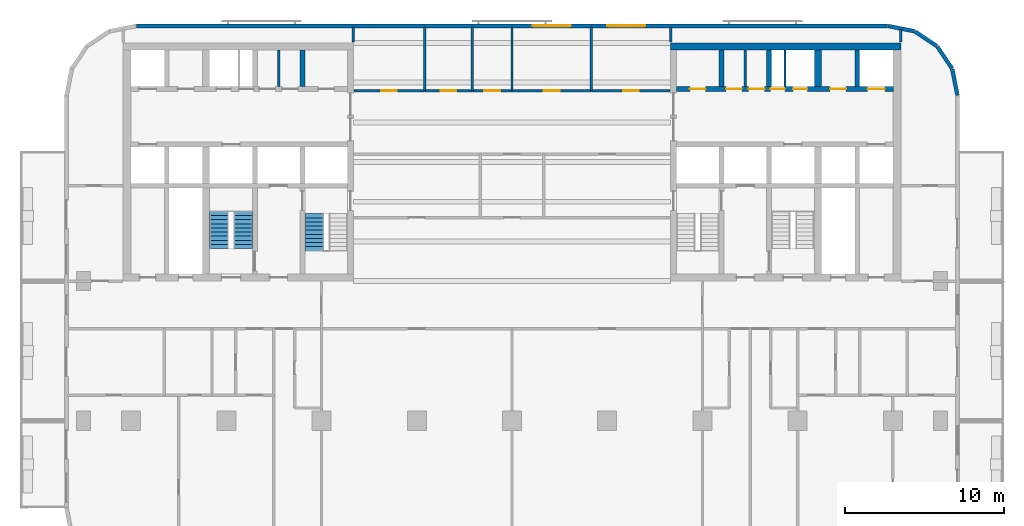
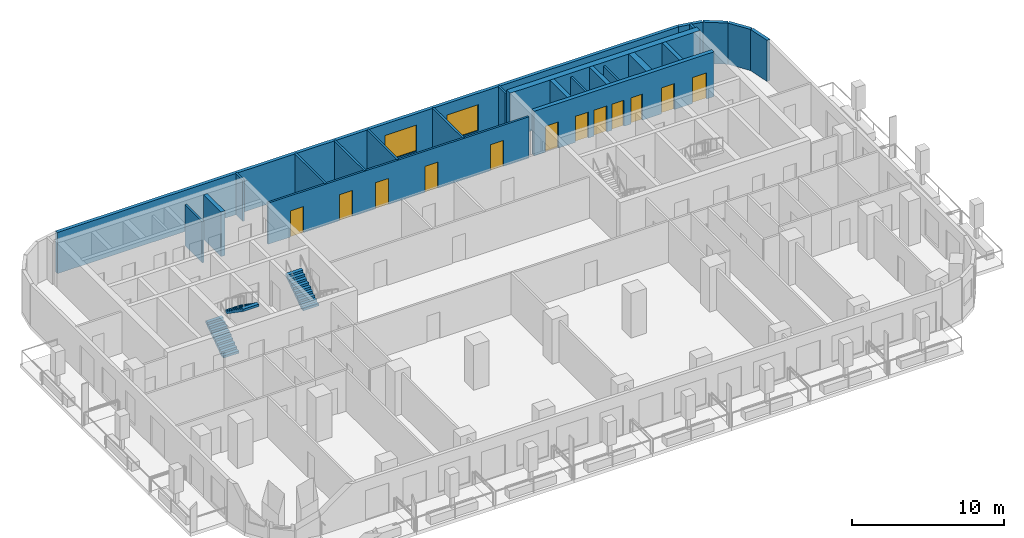
# One storey, part 7 of 11: 23 walls, 12 doors, 3 stair flights, 2 windows, 14 openings, 2 elements without a shape of their own.
"""IFC4 building model written with IfcOpenShell, lengths in metres."""

import ifcopenshell
import ifcopenshell.guid

model = None  # the IFC model being written
_history = None  # IfcOwnerHistory: only IFC2X3 demands one
_inside = {}  # id of a spatial element -> (the spatial element, [elements in it])
_under = {}  # id of a project, library or spatial element -> (it, [spatial elements below it])
_declared = {}  # id of a project -> (the project, [libraries it declares])
_typed = {}  # id of a type object -> (the type object, [elements of that type])
_made_of = {}  # id of a material, layer set ... -> (it, [elements and type objects made of it])


def new_model(schema):
    """Start an empty IFC model of exactly this schema.

    Asked for "IFC4X3", IfcOpenShell would pick the latest addendum, in which some entities
    have other attributes; the version numbers below select the first issue.
    IFC2X3 requires an IfcOwnerHistory on every rooted entity: one is made here for all.
    """
    global model, _history
    if schema == "IFC4X3":
        model = ifcopenshell.file(schema_version=(4, 3, 0, 0))
    else:
        model = ifcopenshell.file(schema=schema)
    _inside.clear()
    _under.clear()
    _declared.clear()
    _typed.clear()
    _made_of.clear()
    _history = None
    if model.schema == "IFC2X3":
        org = make("IfcOrganization", Name="unknown")
        user = make(
            "IfcPersonAndOrganization",
            ThePerson=make("IfcPerson", FamilyName="unknown"),
            TheOrganization=org,
        )
        app = make(
            "IfcApplication",
            ApplicationDeveloper=org,
            Version="unknown",
            ApplicationFullName="unknown",
            ApplicationIdentifier="unknown",
        )
        _history = make(
            "IfcOwnerHistory",
            OwningUser=user,
            OwningApplication=app,
            ChangeAction="ADDED",
            CreationDate=0,
        )
    return model


def make(cls, **values):
    """One entity of the class cls with the attributes given. An attribute that is None is left unset."""
    return model.create_entity(
        cls, **{name: value for name, value in values.items() if value is not None}
    )


def rooted(cls, **values):
    """An entity with a GlobalId (a new one), such as an element, a storey or a relation."""
    return make(cls, GlobalId=ifcopenshell.guid.new(), OwnerHistory=_history, **values)


def si_unit(unit_type, name, prefix=None):
    """IfcSIUnit, for example si_unit("LENGTHUNIT", "METRE", prefix="MILLI")."""
    return make("IfcSIUnit", UnitType=unit_type, Prefix=prefix, Name=name)


def assignment(units):
    """IfcUnitAssignment: the units of a project."""
    return None if units is None else make("IfcUnitAssignment", Units=units)


def point(xyz):
    """IfcCartesianPoint."""
    return None if xyz is None else make("IfcCartesianPoint", Coordinates=xyz)


def direction(xyz):
    """IfcDirection."""
    return None if xyz is None else make("IfcDirection", DirectionRatios=xyz)


def frame(location, z_axis=None, x_axis=None):
    """IfcAxis2Placement3D, a coordinate frame: its origin and axes. An axis left out is left unset."""
    return make(
        "IfcAxis2Placement3D",
        Location=point(location),
        Axis=direction(z_axis),
        RefDirection=direction(x_axis),
    )


def frame_2d(location, x_axis=None):
    """IfcAxis2Placement2D, a coordinate frame in the plane: its origin and x axis."""
    return make(
        "IfcAxis2Placement2D", Location=point(location), RefDirection=direction(x_axis)
    )


def origin():
    """The frame at (0, 0, 0) with its axes left unset."""
    return frame((0.0, 0.0, 0.0))


def place(relative_to, where):
    """IfcLocalPlacement: puts the frame where relative to a parent placement (None: the world)."""
    return make(
        "IfcLocalPlacement", PlacementRelTo=relative_to, RelativePlacement=where
    )


def context(
    kind, dimensions, precision=None, world=None, true_north=None, identifier=None
):
    """IfcGeometricRepresentationContext, for example the 3D "Model" context."""
    return make(
        "IfcGeometricRepresentationContext",
        ContextIdentifier=identifier,
        ContextType=kind,
        CoordinateSpaceDimension=dimensions,
        Precision=precision,
        WorldCoordinateSystem=world,
        TrueNorth=true_north,
    )


def subcontext(parent, identifier, kind, view, scale=None):
    """IfcGeometricRepresentationSubContext, for example "Body" below "Model"."""
    return make(
        "IfcGeometricRepresentationSubContext",
        ContextIdentifier=identifier,
        ContextType=kind,
        ParentContext=parent,
        TargetScale=scale,
        TargetView=view,
    )


def project(units=None, contexts=None):
    """IfcProject with its units and contexts."""
    return rooted(
        "IfcProject",
        Name="project",
        RepresentationContexts=contexts,
        UnitsInContext=assignment(units),
    )


def spatial(cls, under=None, at=None, **own):
    """A site, building, storey or space (cls), placed at a placement, below another one or the project."""
    s = rooted(cls, ObjectPlacement=at, **own)
    if under is not None:
        _under.setdefault(under.id(), (under, []))[1].append(s)
    return s


def polyline(points):
    """IfcPolyline through the points."""
    return make("IfcPolyline", Points=[point(p) for p in points])


def profile(cls, at=None, kind="AREA", **sizes):
    """A parametric profile (cls). Its sizes go by their IFC names, for example OverallWidth=200.0."""
    return make(cls, ProfileType=kind, Position=at, **sizes)


def rectangle(**sizes):
    """IfcRectangleProfileDef."""
    return profile("IfcRectangleProfileDef", **sizes)


def outline(outer, holes=None, kind="AREA"):
    """IfcArbitraryClosedProfileDef: a profile drawn as a closed curve; with holes, ...WithVoids."""
    if holes is None:
        return make("IfcArbitraryClosedProfileDef", ProfileType=kind, OuterCurve=outer)
    return make(
        "IfcArbitraryProfileDefWithVoids",
        ProfileType=kind,
        OuterCurve=outer,
        InnerCurves=holes,
    )


def extrude(swept, where, along, depth):
    """IfcExtrudedAreaSolid: the profile swept, set in the frame where, extruded along a direction by depth."""
    return make(
        "IfcExtrudedAreaSolid",
        SweptArea=swept,
        Position=where,
        ExtrudedDirection=direction(along),
        Depth=depth,
    )


def shape(context_of_items, identifier, shape_type, items):
    """IfcShapeRepresentation: the items that make up one representation, for example the "Body"."""
    return make(
        "IfcShapeRepresentation",
        ContextOfItems=context_of_items,
        RepresentationIdentifier=identifier,
        RepresentationType=shape_type,
        Items=items,
    )


def material(Name=None, Category=None):
    """IfcMaterial."""
    return make("IfcMaterial", Name=Name, Category=Category)


def layer(
    of_material, thickness, ventilated=None, Name=None, Category=None, Priority=None
):
    """IfcMaterialLayer: one layer of a wall or slab, of a material (None: an air gap)."""
    return make(
        "IfcMaterialLayer",
        Material=of_material,
        LayerThickness=thickness,
        IsVentilated=ventilated,
        Name=Name,
        Category=Category,
        Priority=Priority,
    )


def layer_set(layers, Name=None):
    """IfcMaterialLayerSet."""
    return make("IfcMaterialLayerSet", MaterialLayers=layers, LayerSetName=Name)


def made_of(thing, what):
    """Note that an element or type object is made of a material, layer set ...; save() writes the relation."""
    if what is not None:
        _made_of.setdefault(what.id(), (what, []))[1].append(thing)
    return thing


def type_object(cls, material=None, **own):
    """A type object (cls), such as IfcWallType, which elements share."""
    return made_of(rooted(cls, **own), material)


def element(
    cls,
    number,
    at=None,
    inside=None,
    cuts=None,
    type_object=None,
    material=None,
    context=None,
    identifier="Body",
    shape_type=None,
    held_by="IfcProductDefinitionShape",
    body=None,
    shapes=None,
    **own,
):
    """One element of the class cls, such as IfcWall. Its Tag is "e" and its number.

    at: its placement. inside: the storey or other place that contains it. cuts: it is an
    opening in that element (IfcRelVoidsElement). A single representation is given by context,
    identifier, shape_type and body (its items); several are given by shapes. held_by: the class
    of the entity that holds the representations. save() writes the other relations.
    """
    e = rooted(cls, Tag="e%d" % number, ObjectPlacement=at, **own)
    if body is not None:
        shapes = [shape(context, identifier, shape_type, body)]
    if shapes is not None:
        e.Representation = make(held_by, Representations=shapes)
    if inside is not None:
        _inside.setdefault(inside.id(), (inside, []))[1].append(e)
    if cuts is not None:
        rooted(
            "IfcRelVoidsElement", RelatingBuildingElement=cuts, RelatedOpeningElement=e
        )
    if type_object is not None:
        _typed.setdefault(type_object.id(), (type_object, []))[1].append(e)
    return made_of(e, material)


def fill(opening, filler):
    """IfcRelFillsElement: the door or window that sits in an opening."""
    return rooted(
        "IfcRelFillsElement",
        RelatingOpeningElement=opening,
        RelatedBuildingElement=filler,
    )


def aggregate(whole, parts):
    """IfcRelAggregates: a whole, such as a stair, and the parts it consists of."""
    return rooted("IfcRelAggregates", RelatingObject=whole, RelatedObjects=parts)


def save(model, path):
    """Write the relations noted so far, then the file.

    IfcRelAggregates (storeys below a building ...), IfcRelContainedInSpatialStructure (elements
    in a storey), IfcRelDefinesByType, IfcRelAssociatesMaterial and IfcRelDeclares: one each for
    every whole, place, type object, material and project.
    """
    for whole, parts in _under.values():
        aggregate(whole, parts)
    for where, things in _inside.values():
        rooted(
            "IfcRelContainedInSpatialStructure",
            RelatedElements=things,
            RelatingStructure=where,
        )
    for kind, things in _typed.values():
        rooted("IfcRelDefinesByType", RelatedObjects=things, RelatingType=kind)
    for what, things in _made_of.values():
        rooted("IfcRelAssociatesMaterial", RelatedObjects=things, RelatingMaterial=what)
    for by, libraries in _declared.values():
        rooted("IfcRelDeclares", RelatingContext=by, RelatedDefinitions=libraries)
    model.write(path)


model = new_model("IFC4")

# Units and contexts
model_context = context("Model", 3, precision=1e-05, world=origin(), true_north=direction((0.0, 1.0)))
body_context = subcontext(model_context, "Body", "Model", "MODEL_VIEW")
ifc_project = project(units=[si_unit("LENGTHUNIT", "METRE"), si_unit("AREAUNIT", "SQUARE_METRE"), si_unit("VOLUMEUNIT", "CUBIC_METRE"), si_unit("PLANEANGLEUNIT", "RADIAN"), si_unit("MASSUNIT", "GRAM", prefix="KILO")], contexts=[model_context])

# Site, building, storey
site_placement = place(None, origin())
site = spatial("IfcSite", under=ifc_project, at=site_placement, CompositionType="ELEMENT")
building_placement = place(site_placement, origin())
building = spatial("IfcBuilding", under=site, at=building_placement, Name="Torana Hotel and Residences", CompositionType="ELEMENT")
storey_placement = place(building_placement, frame((0.0, 0.0, 127.199951171875)))
storey = spatial("IfcBuildingStorey", under=building, at=storey_placement, Name="L32", CompositionType="ELEMENT", Elevation=127.199951171875)

# Wall
ifc_material_1 = material(Name="Concrete C70/85", Category="concrete")
ifc_layer_1 = layer(ifc_material_1, 0.300048828125)
ifc_layer_set_1 = layer_set([ifc_layer_1], Name="CORE WALL 300 C70/85")
wall_type_1 = type_object("IfcWallType", Name="CORE WALL 300 C70/85", PredefinedType="SHEAR", material=ifc_layer_set_1)
wall_1_placement = place(storey_placement, frame((-13.199951171875, -2.75, 0.0), z_axis=(0.0, 0.0, 1.0), x_axis=(0.0, 1.0, 0.0)))
element("IfcWall", 1, at=wall_1_placement, inside=storey, type_object=wall_type_1, Name="Core wall W x3.05-N", PredefinedType="SHEAR", context=body_context, shape_type="SweptSolid", body=[
    extrude(rectangle(XDim=2.300048828125, YDim=0.300048828125, at=frame_2d((1.14990234375, 0.0))), origin(), (0.0, 0.0, 1.0), 3.60009765625),
])

# Wall, openings, doors
wall_2_placement = place(storey_placement, frame((10.35009765625, -2.89990234375, 0.0), z_axis=(0.0, 0.0, 1.0), x_axis=(1.0, 0.0, 0.0)))
wall_2 = element("IfcWall", 2, at=wall_2_placement, inside=storey, type_object=wall_type_1, Name="Core wall E row-N", PredefinedType="SHEAR", context=body_context, shape_type="SweptSolid", body=[
    extrude(rectangle(XDim=13.699951171875, YDim=0.300048828125, at=frame_2d((6.85009765625, 0.0))), origin(), (0.0, 0.0, 1.0), 3.60009765625),
])
opening_1_placement = place(wall_2_placement, frame((12.050048828125, 0.0, 0.0)))
opening_1 = element("IfcOpeningElement", 3, at=opening_1_placement, cuts=wall_2, Name="Opening LD", PredefinedType="OPENING", context=body_context, shape_type="SweptSolid", body=[
    extrude(rectangle(XDim=1.10009765625, YDim=2.10009765625, at=frame_2d((0.550048828125, 1.050048828125))), frame((0.0, 0.159912109375, 0.0), z_axis=(0.0, -1.0, 0.0), x_axis=(1.0, 0.0, 0.0)), (0.0, 0.0, 1.0), 0.320068359375),
])
opening_2_placement = place(wall_2_placement, frame((5.9375, 0.0, 0.0)))
opening_2 = element("IfcOpeningElement", 4, at=opening_2_placement, cuts=wall_2, Name="Opening L32-23", PredefinedType="OPENING", context=body_context, shape_type="SweptSolid", body=[
    extrude(rectangle(XDim=0.89990234375, YDim=2.10009765625, at=frame_2d((0.449951171875, 1.050048828125))), frame((0.0, 0.159912109375, 0.0), z_axis=(0.0, -1.0, 0.0), x_axis=(1.0, 0.0, 0.0)), (0.0, 0.0, 1.0), 0.320068359375),
])
opening_3_placement = place(wall_2_placement, frame((7.362548828125, 0.0, 0.0)))
opening_3 = element("IfcOpeningElement", 5, at=opening_3_placement, cuts=wall_2, Name="Opening L32-24", PredefinedType="OPENING", context=body_context, shape_type="SweptSolid", body=[
    extrude(rectangle(XDim=0.89990234375, YDim=2.10009765625, at=frame_2d((0.449951171875, 1.050048828125))), frame((0.0, 0.159912109375, 0.0), z_axis=(0.0, -1.0, 0.0), x_axis=(1.0, 0.0, 0.0)), (0.0, 0.0, 1.0), 0.320068359375),
])
opening_4_placement = place(wall_2_placement, frame((0.85009765625, 0.0, 0.0)))
opening_4 = element("IfcOpeningElement", 6, at=opening_4_placement, cuts=wall_2, Name="Opening L32-25", PredefinedType="OPENING", context=body_context, shape_type="SweptSolid", body=[
    extrude(rectangle(XDim=1.0, YDim=2.10009765625, at=frame_2d((0.5, 1.050048828125))), frame((0.0, 0.159912109375, 0.0), z_axis=(0.0, -1.0, 0.0), x_axis=(1.0, 0.0, 0.0)), (0.0, 0.0, 1.0), 0.320068359375),
])
opening_5_placement = place(wall_2_placement, frame((3.137451171875, 0.0, 0.0)))
opening_5 = element("IfcOpeningElement", 7, at=opening_5_placement, cuts=wall_2, Name="Opening L32-26", PredefinedType="OPENING", context=body_context, shape_type="SweptSolid", body=[
    extrude(rectangle(XDim=1.0, YDim=2.10009765625, at=frame_2d((0.5, 1.050048828125))), frame((0.0, 0.159912109375, 0.0), z_axis=(0.0, -1.0, 0.0), x_axis=(1.0, 0.0, 0.0)), (0.0, 0.0, 1.0), 0.320068359375),
])
opening_6_placement = place(wall_2_placement, frame((4.5625, 0.0, 0.0)))
opening_6 = element("IfcOpeningElement", 8, at=opening_6_placement, cuts=wall_2, Name="Opening L32-27", PredefinedType="OPENING", context=body_context, shape_type="SweptSolid", body=[
    extrude(rectangle(XDim=1.0, YDim=2.10009765625, at=frame_2d((0.5, 1.050048828125))), frame((0.0, 0.159912109375, 0.0), z_axis=(0.0, -1.0, 0.0), x_axis=(1.0, 0.0, 0.0)), (0.0, 0.0, 1.0), 0.320068359375),
])
opening_7_placement = place(wall_2_placement, frame((9.699951171875, 0.0, 0.0)))
opening_7 = element("IfcOpeningElement", 9, at=opening_7_placement, cuts=wall_2, Name="Opening L32-28", PredefinedType="OPENING", context=body_context, shape_type="SweptSolid", body=[
    extrude(rectangle(XDim=1.0, YDim=2.10009765625, at=frame_2d((0.5, 1.050048828125))), frame((0.0, 0.159912109375, 0.0), z_axis=(0.0, -1.0, 0.0), x_axis=(1.0, 0.0, 0.0)), (0.0, 0.0, 1.0), 0.320068359375),
])
ifc_material_2 = material(Name="Steel S235", Category="steel")
door_type_1 = type_object("IfcDoorType", Name="CORE ROOM FIRE DOOR D14 1000x2100", OperationType="SINGLE_SWING_LEFT", PredefinedType="DOOR", material=ifc_material_2)
door_1_placement = place(opening_4_placement, origin())
door_1 = element("IfcDoor", 10, at=door_1_placement, inside=storey, type_object=door_type_1, Name="N0 door L32", OperationType="SINGLE_SWING_RIGHT", OverallHeight=2.10009765625, OverallWidth=1.0, PredefinedType="DOOR", context=body_context, shape_type="SweptSolid", body=[
    extrude(rectangle(XDim=1.0, YDim=2.10009765625, at=frame_2d((0.5, 1.050048828125))), frame((0.0, 0.02490234375, 0.0), z_axis=(0.0, -1.0, 0.0), x_axis=(1.0, 0.0, 0.0)), (0.0, 0.0, 1.0), 0.050048828125),
])
fill(opening_4, door_1)
door_2_placement = place(opening_5_placement, origin())
door_2 = element("IfcDoor", 11, at=door_2_placement, inside=storey, type_object=door_type_1, Name="N1A door L32", OperationType="SINGLE_SWING_RIGHT", OverallHeight=2.10009765625, OverallWidth=1.0, PredefinedType="DOOR", context=body_context, shape_type="SweptSolid", body=[
    extrude(rectangle(XDim=1.0, YDim=2.10009765625, at=frame_2d((0.5, 1.050048828125))), frame((0.0, 0.02490234375, 0.0), z_axis=(0.0, -1.0, 0.0), x_axis=(1.0, 0.0, 0.0)), (0.0, 0.0, 1.0), 0.050048828125),
])
fill(opening_5, door_2)
door_3_placement = place(opening_6_placement, origin())
door_3 = element("IfcDoor", 12, at=door_3_placement, inside=storey, type_object=door_type_1, Name="N1B door L32", OperationType="SINGLE_SWING_RIGHT", OverallHeight=2.10009765625, OverallWidth=1.0, PredefinedType="DOOR", context=body_context, shape_type="SweptSolid", body=[
    extrude(rectangle(XDim=1.0, YDim=2.10009765625, at=frame_2d((0.5, 1.050048828125))), frame((0.0, 0.02490234375, 0.0), z_axis=(0.0, -1.0, 0.0), x_axis=(1.0, 0.0, 0.0)), (0.0, 0.0, 1.0), 0.050048828125),
])
fill(opening_6, door_3)
door_4_placement = place(opening_7_placement, origin())
door_4 = element("IfcDoor", 13, at=door_4_placement, inside=storey, type_object=door_type_1, Name="Freed-S2 door L32", OperationType="SINGLE_SWING_RIGHT", OverallHeight=2.10009765625, OverallWidth=1.0, PredefinedType="DOOR", context=body_context, shape_type="SweptSolid", body=[
    extrude(rectangle(XDim=1.0, YDim=2.10009765625, at=frame_2d((0.5, 1.050048828125))), frame((0.0, 0.02490234375, 0.0), z_axis=(0.0, -1.0, 0.0), x_axis=(1.0, 0.0, 0.0)), (0.0, 0.0, 1.0), 0.050048828125),
])
fill(opening_7, door_4)
ifc_material_3 = material(Name="Stainless steel 316", Category="steel")
door_type_2 = type_object("IfcDoorType", Name="LIFT LANDING DOOR LD 1100x2100", OperationType="DOUBLE_DOOR_SLIDING", PredefinedType="USERDEFINED", material=ifc_material_3)
door_5_placement = place(opening_1_placement, origin())
door_5 = element("IfcDoor", 14, at=door_5_placement, inside=storey, type_object=door_type_2, Name="Lift landing door M3 L32", ObjectType="LIFT LANDING DOOR", OperationType="DOUBLE_DOOR_SLIDING", OverallHeight=2.10009765625, OverallWidth=1.10009765625, PredefinedType="USERDEFINED", context=body_context, shape_type="SweptSolid", body=[
    extrude(rectangle(XDim=1.10009765625, YDim=2.10009765625, at=frame_2d((0.550048828125, 1.050048828125))), frame((0.0, 0.02490234375, 0.0), z_axis=(0.0, -1.0, 0.0), x_axis=(1.0, 0.0, 0.0)), (0.0, 0.0, 1.0), 0.050048828125),
])
fill(opening_1, door_5)
ifc_material_4 = material(Name="Steel S235", Category="steel")
door_type_3 = type_object("IfcDoorType", Name="RISER ACCESS DOOR D5 900x2100", OperationType="SINGLE_SWING_LEFT", PredefinedType="DOOR", material=ifc_material_4)
door_6_placement = place(opening_2_placement, origin())
door_6 = element("IfcDoor", 15, at=door_6_placement, inside=storey, type_object=door_type_3, Name="N2A door L32", OperationType="SINGLE_SWING_RIGHT", OverallHeight=2.10009765625, OverallWidth=0.89990234375, PredefinedType="DOOR", context=body_context, shape_type="SweptSolid", body=[
    extrude(rectangle(XDim=0.89990234375, YDim=2.10009765625, at=frame_2d((0.449951171875, 1.050048828125))), frame((0.0, 0.02490234375, 0.0), z_axis=(0.0, -1.0, 0.0), x_axis=(1.0, 0.0, 0.0)), (0.0, 0.0, 1.0), 0.050048828125),
])
fill(opening_2, door_6)
door_7_placement = place(opening_3_placement, origin())
door_7 = element("IfcDoor", 16, at=door_7_placement, inside=storey, type_object=door_type_3, Name="N2B door L32", OperationType="SINGLE_SWING_RIGHT", OverallHeight=2.10009765625, OverallWidth=0.89990234375, PredefinedType="DOOR", context=body_context, shape_type="SweptSolid", body=[
    extrude(rectangle(XDim=0.89990234375, YDim=2.10009765625, at=frame_2d((0.449951171875, 1.050048828125))), frame((0.0, 0.02490234375, 0.0), z_axis=(0.0, -1.0, 0.0), x_axis=(1.0, 0.0, 0.0)), (0.0, 0.0, 1.0), 0.050048828125),
])
fill(opening_3, door_7)

# Walls
for number, where, z_axis, x_axis, name in (
    (17, (13.199951171875, -2.75, 0.0), (0.0, 0.0, 1.0), (0.0, 1.0, 0.0), "Core wall E x3.05-N"),
    (18, (16.199951171875, -2.75, 0.0), (0.0, 0.0, 1.0), (0.0, 1.0, 0.0), "Core wall E x6.05-N"),
    (19, (21.75, -2.75, 0.0), (0.0, 0.0, 1.0), (0.0, 1.0, 0.0), "Core wall E mm-N"),
):
    element("IfcWall", number, at=place(storey_placement, frame(where, z_axis=z_axis, x_axis=x_axis)), inside=storey, type_object=wall_type_1, Name=name, PredefinedType="SHEAR", context=body_context, shape_type="SweptSolid", body=[
        extrude(rectangle(XDim=2.300048828125, YDim=0.300048828125, at=frame_2d((1.14990234375, 0.0))), origin(), (0.0, 0.0, 1.0), 3.60009765625),
    ])
ifc_material_5 = material(Name="Concrete C70/85", Category="concrete")
ifc_layer_2 = layer(ifc_material_5, 0.449951171875)
ifc_layer_set_2 = layer_set([ifc_layer_2], Name="CORE WALL 450 C70/85")
wall_type_2 = type_object("IfcWallType", Name="CORE WALL 450 C70/85", PredefinedType="SHEAR", material=ifc_layer_set_2)
wall_3_placement = place(storey_placement, frame((10.0, -0.22509765625, 0.0), z_axis=(0.0, 0.0, 1.0), x_axis=(1.0, 0.0, 0.0)))
element("IfcWall", 20, at=wall_3_placement, inside=storey, type_object=wall_type_2, Name="Core wall E rear", PredefinedType="SHEAR", context=body_context, shape_type="SweptSolid", body=[
    extrude(rectangle(XDim=14.5, YDim=0.449951171875, at=frame_2d((7.25, 0.0))), origin(), (0.0, 0.0, 1.0), 3.60009765625),
])
wall_4_placement = place(storey_placement, frame((19.27490234375, -2.75, 0.0), z_axis=(0.0, 0.0, 1.0), x_axis=(0.0, 1.0, 0.0)))
element("IfcWall", 21, at=wall_4_placement, inside=storey, type_object=wall_type_2, Name="Core wall E hm-N", PredefinedType="SHEAR", context=body_context, shape_type="SweptSolid", body=[
    extrude(rectangle(XDim=2.300048828125, YDim=0.449951171875, at=frame_2d((1.14990234375, 0.0))), origin(), (0.0, 0.0, 1.0), 3.60009765625),
])
ifc_material_6 = material(Name="Black aluminium composite panel", Category="aluminium")
ifc_layer_3 = layer(ifc_material_6, 0.00390625, Name="Cladding", Category="cladding")
ifc_material_7 = material(Name="Ventilated air cavity")
ifc_layer_4 = layer(ifc_material_7, 0.0400390625, Name="Ventilated cavity", Category="cavity")
ifc_material_8 = material(Name="Mineral wool insulation")
ifc_layer_5 = layer(ifc_material_8, 0.090087890625, Name="Insulation", Category="insulation")
ifc_material_9 = material(Name="Steel S280GD", Category="steel")
ifc_layer_6 = layer(ifc_material_9, 0.092041015625, Name="Steel stud frame", Category="structure")
ifc_material_10 = material(Name="Fire rated plasterboard")
ifc_layer_7 = layer(ifc_material_10, 0.011962890625, Name="Inner board", Category="finish")
ifc_layer_8 = layer(ifc_material_10, 0.011962890625, Name="Second board", Category="finish")
ifc_layer_set_3 = layer_set([ifc_layer_3, ifc_layer_4, ifc_layer_5, ifc_layer_6, ifc_layer_7, ifc_layer_8], Name="EW1 EXTERNAL WALL BLACK METAL CLAD 250")
wall_type_3 = type_object("IfcWallType", Name="EW1 EXTERNAL WALL BLACK METAL CLAD 250", PredefinedType="SOLIDWALL", material=ifc_layer_set_3)
wall_5_placement = place(storey_placement, frame((28.072509765625, -3.30029296875, 0.0), z_axis=(0.0, 0.0, 1.0), x_axis=(-0.194999110559, 0.980803419081, 0.0)))
element("IfcWall", 22, at=wall_5_placement, inside=storey, type_object=wall_type_3, Name="External wall L32 e0.0", PredefinedType="SOLIDWALL", context=body_context, shape_type="SweptSolid", body=[
    extrude(rectangle(XDim=1.681396484375, YDim=0.25, at=frame_2d((0.8408203125, 0.0))), origin(), (0.0, 0.0, 1.0), 3.320068359375),
])
for number, where, z_axis, x_axis, name in (
    (23, (27.725830078125, -1.60595703125, 0.0), (0.0, 0.0, 1.0), (-0.55555029066, 0.831482937015, 0.0), "External wall L32 e0.1"),
    (24, (26.771240234375, -0.1943359375, 0.0), (0.0, 0.0, 1.0), (-0.831482937015, 0.55555029066, 0.0), "External wall L32 e0.2"),
):
    element("IfcWall", number, at=place(storey_placement, frame(where, z_axis=z_axis, x_axis=x_axis)), inside=storey, type_object=wall_type_3, Name=name, PredefinedType="SOLIDWALL", context=body_context, shape_type="SweptSolid", body=[
        extrude(rectangle(XDim=1.65625, YDim=0.25, at=frame_2d((0.828125, 0.0))), origin(), (0.0, 0.0, 1.0), 3.320068359375),
    ])
wall_6_placement = place(storey_placement, frame((25.348876953125, 0.74462890625, 0.0), z_axis=(0.0, 0.0, 1.0), x_axis=(-0.980803419081, 0.194999110559, 0.0)))
element("IfcWall", 25, at=wall_6_placement, inside=storey, type_object=wall_type_3, Name="External wall L32 e0.3", PredefinedType="SOLIDWALL", context=body_context, shape_type="SweptSolid", body=[
    extrude(rectangle(XDim=1.681396484375, YDim=0.25, at=frame_2d((0.8408203125, 0.0))), origin(), (0.0, 0.0, 1.0), 3.320068359375),
])

# Wall, openings, windows
ifc_material_11 = material(Name="Concrete C40/50 precast", Category="concrete")
ifc_layer_9 = layer(ifc_material_11, 0.10009765625, Name="Perforated block", Category="cladding")
ifc_material_12 = material(Name="Air cavity")
ifc_layer_10 = layer(ifc_material_12, 0.030029296875, Name="Cavity", Category="cavity")
ifc_material_13 = material(Name="Concrete C40/50", Category="concrete")
ifc_layer_11 = layer(ifc_material_13, 0.10009765625, Name="Wall", Category="structure")
ifc_material_14 = material(Name="Plaster and paint")
ifc_layer_12 = layer(ifc_material_14, 0.02001953125, Name="Inner finish", Category="finish")
ifc_layer_set_4 = layer_set([ifc_layer_9, ifc_layer_10, ifc_layer_11, ifc_layer_12], Name="EW2 PERFORATED BLOCK SCREEN WALL 250")
wall_type_4 = type_object("IfcWallType", Name="EW2 PERFORATED BLOCK SCREEN WALL 250", PredefinedType="SOLIDWALL", material=ifc_layer_set_4)
wall_7_placement = place(storey_placement, frame((23.67529296875, 1.074951171875, 0.0), z_axis=(0.0, 0.0, 1.0), x_axis=(-1.0, 0.0, 0.0)))
wall_7 = element("IfcWall", 26, at=wall_7_placement, inside=storey, type_object=wall_type_4, Name="External wall L32 e0.4", PredefinedType="SOLIDWALL", context=body_context, shape_type="SweptSolid", body=[
    extrude(rectangle(XDim=47.3505859375, YDim=0.25, at=frame_2d((23.67529296875, 0.0))), origin(), (0.0, 0.0, 1.0), 3.320068359375),
])
opening_8_placement = place(wall_7_placement, frame((15.275390625, 0.0, 0.300048828125)))
opening_8 = element("IfcOpeningElement", 27, at=opening_8_placement, cuts=wall_7, Name="Opening W1", PredefinedType="OPENING", context=body_context, shape_type="SweptSolid", body=[
    extrude(rectangle(XDim=2.39990234375, YDim=2.10009765625, at=frame_2d((1.199951171875, 1.050048828125))), frame((0.0, 0.135009765625, 0.0), z_axis=(0.0, -1.0, 0.0), x_axis=(1.0, 0.0, 0.0)), (0.0, 0.0, 1.0), 0.27001953125),
])
opening_9_placement = place(wall_7_placement, frame((19.975341796875, 0.0, 0.300048828125)))
opening_9 = element("IfcOpeningElement", 28, at=opening_9_placement, cuts=wall_7, Name="Opening W1", PredefinedType="OPENING", context=body_context, shape_type="SweptSolid", body=[
    extrude(rectangle(XDim=2.39990234375, YDim=2.10009765625, at=frame_2d((1.199951171875, 1.050048828125))), frame((0.0, 0.135009765625, 0.0), z_axis=(0.0, -1.0, 0.0), x_axis=(1.0, 0.0, 0.0)), (0.0, 0.0, 1.0), 0.27001953125),
])
ifc_material_15 = material(Name="Dark glass in black aluminium frame", Category="aluminium")
window_type = type_object("IfcWindowType", Name="W1 HOTEL ROOM WINDOW 2400x2100", PartitioningType="SINGLE_PANEL", PredefinedType="WINDOW", material=ifc_material_15)
window_1_placement = place(opening_8_placement, origin())
window_1 = element("IfcWindow", 29, at=window_1_placement, inside=storey, type_object=window_type, Name="Window L32", OverallHeight=2.10009765625, OverallWidth=2.39990234375, PartitioningType="SINGLE_PANEL", PredefinedType="WINDOW", context=body_context, shape_type="SweptSolid", body=[
    extrude(rectangle(XDim=2.39990234375, YDim=2.10009765625, at=frame_2d((1.199951171875, 1.050048828125))), frame((0.0, 0.030029296875, 0.0), z_axis=(0.0, -1.0, 0.0), x_axis=(1.0, 0.0, 0.0)), (0.0, 0.0, 1.0), 0.06005859375),
])
fill(opening_8, window_1)
window_2_placement = place(opening_9_placement, origin())
window_2 = element("IfcWindow", 30, at=window_2_placement, inside=storey, type_object=window_type, Name="Window L32", OverallHeight=2.10009765625, OverallWidth=2.39990234375, PartitioningType="SINGLE_PANEL", PredefinedType="WINDOW", context=body_context, shape_type="SweptSolid", body=[
    extrude(rectangle(XDim=2.39990234375, YDim=2.10009765625, at=frame_2d((1.199951171875, 1.050048828125))), frame((0.0, 0.030029296875, 0.0), z_axis=(0.0, -1.0, 0.0), x_axis=(1.0, 0.0, 0.0)), (0.0, 0.0, 1.0), 0.06005859375),
])
fill(opening_9, window_2)

# Walls
ifc_material_16 = material(Name="Gypsum plaster")
ifc_layer_13 = layer(ifc_material_16, 0.014892578125, Name="Plaster", Category="finish")
ifc_material_17 = material(Name="Concrete blockwork", Category="masonry")
ifc_layer_14 = layer(ifc_material_17, 0.1201171875, Name="Blockwork", Category="structure")
ifc_layer_15 = layer(ifc_material_16, 0.014892578125, Name="Plaster", Category="finish")
ifc_layer_set_5 = layer_set([ifc_layer_13, ifc_layer_14, ifc_layer_15], Name="FIRE PARTITION 150 BLOCKWORK")
wall_type_5 = type_object("IfcWallType", Name="FIRE PARTITION 150 BLOCKWORK", PredefinedType="PARTITIONING", material=ifc_layer_set_5)
for number, where, z_axis, x_axis, name in (
    (31, (-14.699951171875, -2.75, 0.0), (0.0, 0.0, 1.0), (0.0, 1.0, 0.0), "Core partition L32"),
    (32, (17.199951171875, -2.75, 0.0), (0.0, 0.0, 1.0), (0.0, 1.0, 0.0), "Core partition L32"),
    (33, (14.699951171875, -2.75, 0.0), (0.0, 0.0, 1.0), (0.0, 1.0, 0.0), "Core partition L32"),
):
    element("IfcWall", number, at=place(storey_placement, frame(where, z_axis=z_axis, x_axis=x_axis)), inside=storey, type_object=wall_type_5, Name=name, PredefinedType="PARTITIONING", context=body_context, shape_type="SweptSolid", body=[
        extrude(rectangle(XDim=2.300048828125, YDim=0.14990234375, at=frame_2d((1.14990234375, 0.0))), origin(), (0.0, 0.0, 1.0), 3.300048828125),
    ])

# Wall, openings, doors
wall_8_placement = place(storey_placement, frame((-9.949951171875, -3.0, 0.0), z_axis=(0.0, 0.0, 1.0), x_axis=(1.0, 0.0, 0.0)))
wall_8 = element("IfcWall", 34, at=wall_8_placement, inside=storey, type_object=wall_type_5, Name="Partition L32", PredefinedType="PARTITIONING", context=body_context, shape_type="SweptSolid", body=[
    extrude(rectangle(XDim=19.89990234375, YDim=0.14990234375, at=frame_2d((9.949951171875, 0.0))), origin(), (0.0, 0.0, 1.0), 3.320068359375),
])
opening_10_placement = place(wall_8_placement, frame((1.699951171875, 0.0, 0.0)))
opening_10 = element("IfcOpeningElement", 35, at=opening_10_placement, cuts=wall_8, Name="Opening L32-46", PredefinedType="OPENING", context=body_context, shape_type="SweptSolid", body=[
    extrude(rectangle(XDim=1.0, YDim=2.10009765625, at=frame_2d((0.5, 1.050048828125))), frame((0.0, 0.0849609375, 0.0), z_axis=(0.0, -1.0, 0.0), x_axis=(1.0, 0.0, 0.0)), (0.0, 0.0, 1.0), 0.169921875),
])
opening_11_placement = place(wall_8_placement, frame((5.449951171875, 0.0, 0.0)))
opening_11 = element("IfcOpeningElement", 36, at=opening_11_placement, cuts=wall_8, Name="Opening L32-47", PredefinedType="OPENING", context=body_context, shape_type="SweptSolid", body=[
    extrude(rectangle(XDim=1.0, YDim=2.10009765625, at=frame_2d((0.5, 1.050048828125))), frame((0.0, 0.0849609375, 0.0), z_axis=(0.0, -1.0, 0.0), x_axis=(1.0, 0.0, 0.0)), (0.0, 0.0, 1.0), 0.169921875),
])
opening_12_placement = place(wall_8_placement, frame((8.199951171875, 0.0, 0.0)))
opening_12 = element("IfcOpeningElement", 37, at=opening_12_placement, cuts=wall_8, Name="Opening L32-48", PredefinedType="OPENING", context=body_context, shape_type="SweptSolid", body=[
    extrude(rectangle(XDim=1.0, YDim=2.10009765625, at=frame_2d((0.5, 1.050048828125))), frame((0.0, 0.0849609375, 0.0), z_axis=(0.0, -1.0, 0.0), x_axis=(1.0, 0.0, 0.0)), (0.0, 0.0, 1.0), 0.169921875),
])
opening_13_placement = place(wall_8_placement, frame((11.949951171875, 0.0, 0.0)))
opening_13 = element("IfcOpeningElement", 38, at=opening_13_placement, cuts=wall_8, Name="Opening L32-49", PredefinedType="OPENING", context=body_context, shape_type="SweptSolid", body=[
    extrude(rectangle(XDim=1.0, YDim=2.10009765625, at=frame_2d((0.5, 1.050048828125))), frame((0.0, 0.0849609375, 0.0), z_axis=(0.0, -1.0, 0.0), x_axis=(1.0, 0.0, 0.0)), (0.0, 0.0, 1.0), 0.169921875),
])
opening_14_placement = place(wall_8_placement, frame((16.949951171875, 0.0, 0.0)))
opening_14 = element("IfcOpeningElement", 39, at=opening_14_placement, cuts=wall_8, Name="Opening L32-50", PredefinedType="OPENING", context=body_context, shape_type="SweptSolid", body=[
    extrude(rectangle(XDim=1.0, YDim=2.10009765625, at=frame_2d((0.5, 1.050048828125))), frame((0.0, 0.0849609375, 0.0), z_axis=(0.0, -1.0, 0.0), x_axis=(1.0, 0.0, 0.0)), (0.0, 0.0, 1.0), 0.169921875),
])
ifc_material_18 = material(Name="Steel S235", Category="steel")
door_type_4 = type_object("IfcDoorType", Name="ENTRY FIRE DOOR D6 1000x2100", OperationType="SINGLE_SWING_LEFT", PredefinedType="DOOR", material=ifc_material_18)
door_8_placement = place(opening_10_placement, origin())
door_8 = element("IfcDoor", 40, at=door_8_placement, inside=storey, type_object=door_type_4, Name="Door L32", OperationType="SINGLE_SWING_RIGHT", OverallHeight=2.10009765625, OverallWidth=1.0, PredefinedType="DOOR", context=body_context, shape_type="SweptSolid", body=[
    extrude(rectangle(XDim=1.0, YDim=2.10009765625, at=frame_2d((0.5, 1.050048828125))), frame((0.0, 0.02490234375, 0.0), z_axis=(0.0, -1.0, 0.0), x_axis=(1.0, 0.0, 0.0)), (0.0, 0.0, 1.0), 0.050048828125),
])
fill(opening_10, door_8)
door_9_placement = place(opening_11_placement, origin())
door_9 = element("IfcDoor", 41, at=door_9_placement, inside=storey, type_object=door_type_4, Name="Door L32", OperationType="SINGLE_SWING_RIGHT", OverallHeight=2.10009765625, OverallWidth=1.0, PredefinedType="DOOR", context=body_context, shape_type="SweptSolid", body=[
    extrude(rectangle(XDim=1.0, YDim=2.10009765625, at=frame_2d((0.5, 1.050048828125))), frame((0.0, 0.02490234375, 0.0), z_axis=(0.0, -1.0, 0.0), x_axis=(1.0, 0.0, 0.0)), (0.0, 0.0, 1.0), 0.050048828125),
])
fill(opening_11, door_9)
door_10_placement = place(opening_12_placement, origin())
door_10 = element("IfcDoor", 42, at=door_10_placement, inside=storey, type_object=door_type_4, Name="Door L32", OperationType="SINGLE_SWING_RIGHT", OverallHeight=2.10009765625, OverallWidth=1.0, PredefinedType="DOOR", context=body_context, shape_type="SweptSolid", body=[
    extrude(rectangle(XDim=1.0, YDim=2.10009765625, at=frame_2d((0.5, 1.050048828125))), frame((0.0, 0.02490234375, 0.0), z_axis=(0.0, -1.0, 0.0), x_axis=(1.0, 0.0, 0.0)), (0.0, 0.0, 1.0), 0.050048828125),
])
fill(opening_12, door_10)
door_11_placement = place(opening_13_placement, origin())
door_11 = element("IfcDoor", 43, at=door_11_placement, inside=storey, type_object=door_type_4, Name="Door L32", OperationType="SINGLE_SWING_RIGHT", OverallHeight=2.10009765625, OverallWidth=1.0, PredefinedType="DOOR", context=body_context, shape_type="SweptSolid", body=[
    extrude(rectangle(XDim=1.0, YDim=2.10009765625, at=frame_2d((0.5, 1.050048828125))), frame((0.0, 0.02490234375, 0.0), z_axis=(0.0, -1.0, 0.0), x_axis=(1.0, 0.0, 0.0)), (0.0, 0.0, 1.0), 0.050048828125),
])
fill(opening_13, door_11)
door_12_placement = place(opening_14_placement, origin())
door_12 = element("IfcDoor", 44, at=door_12_placement, inside=storey, type_object=door_type_4, Name="Door L32", OperationType="SINGLE_SWING_RIGHT", OverallHeight=2.10009765625, OverallWidth=1.0, PredefinedType="DOOR", context=body_context, shape_type="SweptSolid", body=[
    extrude(rectangle(XDim=1.0, YDim=2.10009765625, at=frame_2d((0.5, 1.050048828125))), frame((0.0, 0.02490234375, 0.0), z_axis=(0.0, -1.0, 0.0), x_axis=(1.0, 0.0, 0.0)), (0.0, 0.0, 1.0), 0.050048828125),
])
fill(opening_14, door_12)

# Walls
ifc_material_19 = material(Name="Gypsum plasterboard")
ifc_layer_16 = layer(ifc_material_19, 0.012451171875, Name="Plasterboard", Category="finish")
ifc_layer_17 = layer(ifc_material_19, 0.012451171875, Name="Plasterboard", Category="finish")
ifc_layer_18 = layer(ifc_material_9, 0.10009765625, Name="Steel studs with mineral wool", Category="insulation")
ifc_layer_19 = layer(ifc_material_19, 0.012451171875, Name="Plasterboard", Category="finish")
ifc_layer_20 = layer(ifc_material_19, 0.012451171875, Name="Plasterboard", Category="finish")
ifc_layer_set_6 = layer_set([ifc_layer_16, ifc_layer_17, ifc_layer_18, ifc_layer_19, ifc_layer_20], Name="PARTITION 150 PLASTERBOARD")
wall_type_6 = type_object("IfcWallType", Name="PARTITION 150 PLASTERBOARD", PredefinedType="PARTITIONING", material=ifc_layer_set_6)
wall_9_placement = place(storey_placement, frame((24.5, 0.050048828125, 0.0), z_axis=(0.0, 0.0, 1.0), x_axis=(0.0, 1.0, 0.0)))
element("IfcWall", 45, at=wall_9_placement, inside=storey, type_object=wall_type_6, Name="Partition L32", PredefinedType="PARTITIONING", context=body_context, shape_type="SweptSolid", body=[
    extrude(rectangle(XDim=0.807373046875, YDim=0.14990234375, at=frame_2d((0.40380859375, 0.0))), origin(), (0.0, 0.0, 1.0), 3.320068359375),
])
wall_10_placement = place(storey_placement, frame((10.0, 0.050048828125, 0.0), z_axis=(0.0, 0.0, 1.0), x_axis=(0.0, 1.0, 0.0)))
element("IfcWall", 46, at=wall_10_placement, inside=storey, type_object=wall_type_6, Name="Partition L32", PredefinedType="PARTITIONING", context=body_context, shape_type="SweptSolid", body=[
    extrude(rectangle(XDim=0.969970703125, YDim=0.14990234375, at=frame_2d((0.48486328125, 0.0))), origin(), (0.0, 0.0, 1.0), 3.320068359375),
])
wall_11_placement = place(storey_placement, frame((5.0, -3.0, 0.0), z_axis=(0.0, 0.0, 1.0), x_axis=(0.0, 1.0, 0.0)))
element("IfcWall", 47, at=wall_11_placement, inside=storey, type_object=wall_type_6, Name="Partition L32", PredefinedType="PARTITIONING", context=body_context, shape_type="SweptSolid", body=[
    extrude(rectangle(XDim=4.02001953125, YDim=0.14990234375, at=frame_2d((2.010009765625, 0.0))), origin(), (0.0, 0.0, 1.0), 3.320068359375),
])
wall_12_placement = place(storey_placement, frame((-10.0, 0.050048828125, 0.0), z_axis=(0.0, 0.0, 1.0), x_axis=(0.0, 1.0, 0.0)))
element("IfcWall", 48, at=wall_12_placement, inside=storey, type_object=wall_type_6, Name="Partition L32", PredefinedType="PARTITIONING", context=body_context, shape_type="SweptSolid", body=[
    extrude(rectangle(XDim=0.969970703125, YDim=0.14990234375, at=frame_2d((0.48486328125, 0.0))), origin(), (0.0, 0.0, 1.0), 3.320068359375),
])
ifc_material_20 = material(Name="Ceramic tile on adhesive")
ifc_layer_21 = layer(ifc_material_20, 0.010009765625, Name="Wall tile", Category="finish")
ifc_material_21 = material(Name="Cement render")
ifc_layer_22 = layer(ifc_material_21, 0.010009765625, Name="Render", Category="finish")
ifc_layer_23 = layer(ifc_material_17, 0.110107421875, Name="Blockwork", Category="structure")
ifc_layer_24 = layer(ifc_material_21, 0.010009765625, Name="Render", Category="finish")
ifc_layer_25 = layer(ifc_material_20, 0.010009765625, Name="Wall tile", Category="finish")
ifc_layer_set_7 = layer_set([ifc_layer_21, ifc_layer_22, ifc_layer_23, ifc_layer_24, ifc_layer_25], Name="WC PARTITION 150")
wall_type_7 = type_object("IfcWallType", Name="WC PARTITION 150", PredefinedType="PLUMBINGWALL", material=ifc_layer_set_7)
for number, where, z_axis, x_axis, name in (
    (49, (0.0, -3.0, 0.0), (0.0, 0.0, 1.0), (0.0, 1.0, 0.0), "Partition L32"),
    (50, (-2.5, -3.0, 0.0), (0.0, 0.0, 1.0), (0.0, 1.0, 0.0), "Partition L32"),
    (51, (-5.5, -3.0, 0.0), (0.0, 0.0, 1.0), (0.0, 1.0, 0.0), "Partition L32"),
):
    element("IfcWall", number, at=place(storey_placement, frame(where, z_axis=z_axis, x_axis=x_axis)), inside=storey, type_object=wall_type_7, Name=name, PredefinedType="PLUMBINGWALL", context=body_context, shape_type="SweptSolid", body=[
        extrude(rectangle(XDim=4.02001953125, YDim=0.14990234375, at=frame_2d((2.010009765625, 0.0))), origin(), (0.0, 0.0, 1.0), 3.320068359375),
    ])

# Stair, stair flight
ifc_material_22 = material(Name="Concrete C40/50 precast", Category="concrete")
stair_type_1 = type_object("IfcStairType", Name="STAIR ST1 HALF TURN 1200", PredefinedType="HALF_TURN_STAIR", material=ifc_material_22)
stair_1_placement = place(storey_placement, origin())
stair_1 = element("IfcStair", 52, at=stair_1_placement, inside=storey, type_object=stair_type_1, Name="Stair ST1 L32", PredefinedType="HALF_TURN_STAIR")
ifc_material_23 = material(Name="Concrete C40/50 precast", Category="concrete")
stair_flight_type = type_object("IfcStairFlightType", Name="STAIR FLIGHT 1200 PRECAST", PredefinedType="STRAIGHT", material=ifc_material_23)
stair_flight_1_placement = place(storey_placement, frame((-12.449951171875, -13.090087890625, 1.800048828125), z_axis=(0.0, 0.0, 1.0), x_axis=(0.0, 1.0, 0.0)))
stair_flight_1 = element("IfcStairFlight", 53, at=stair_flight_1_placement, type_object=stair_flight_type, Name="ST1 flight 2", NumberOfRisers=10, NumberOfTreads=9, PredefinedType="STRAIGHT", RiserHeight=0.18, TreadLength=0.26, context=body_context, shape_type="SweptSolid", body=[
    extrude(outline(polyline([(0.0, 0.0), (0.0, 0.179931640625), (0.260009765625, 0.179931640625), (0.260009765625, 0.360107421875), (0.52001953125, 0.360107421875), (0.52001953125, 0.5400390625), (0.780029296875, 0.5400390625), (0.780029296875, 0.719970703125), (1.0400390625, 0.719970703125), (1.0400390625, 0.89990234375), (1.300048828125, 0.89990234375), (1.300048828125, 1.080078125), (1.56005859375, 1.080078125), (1.56005859375, 1.260009765625), (1.820068359375, 1.260009765625), (1.820068359375, 1.43994140625), (2.080078125, 1.43994140625), (2.080078125, 1.6201171875), (2.340087890625, 1.6201171875), (2.340087890625, 1.800048828125), (2.340087890625, 1.437744140625), (0.263427734375, 0.0), (0.0, 0.0)])), frame((0.0, 0.60009765625, 0.0), z_axis=(0.0, -1.0, 0.0), x_axis=(1.0, 0.0, 0.0)), (0.0, 0.0, 1.0), 1.199951171875),
])
aggregate(stair_1, [stair_flight_1])

# Stair, stair flights
ifc_material_24 = material(Name="Concrete C40/50 precast", Category="concrete")
stair_type_2 = type_object("IfcStairType", Name="STAIR ST2 HALF TURN 1200", PredefinedType="HALF_TURN_STAIR", material=ifc_material_24)
stair_2_placement = place(storey_placement, origin())
stair_2 = element("IfcStair", 54, at=stair_2_placement, inside=storey, type_object=stair_type_2, Name="Stair ST2 L32", PredefinedType="HALF_TURN_STAIR")
stair_flight_2_placement = place(storey_placement, frame((-18.449951171875, -12.949951171875, 0.0), z_axis=(0.0, 0.0, 1.0), x_axis=(0.0, 1.0, 0.0)))
stair_flight_2 = element("IfcStairFlight", 55, at=stair_flight_2_placement, type_object=stair_flight_type, Name="ST2 flight 1", NumberOfRisers=10, NumberOfTreads=9, PredefinedType="STRAIGHT", RiserHeight=0.18, TreadLength=0.26, context=body_context, shape_type="SweptSolid", body=[
    extrude(outline(polyline([(0.0, 0.0), (0.0, 0.179931640625), (0.260009765625, 0.179931640625), (0.260009765625, 0.360107421875), (0.52001953125, 0.360107421875), (0.52001953125, 0.5400390625), (0.780029296875, 0.5400390625), (0.780029296875, 0.719970703125), (1.0400390625, 0.719970703125), (1.0400390625, 0.89990234375), (1.300048828125, 0.89990234375), (1.300048828125, 1.080078125), (1.56005859375, 1.080078125), (1.56005859375, 1.260009765625), (1.820068359375, 1.260009765625), (1.820068359375, 1.43994140625), (2.080078125, 1.43994140625), (2.080078125, 1.6201171875), (2.340087890625, 1.6201171875), (2.340087890625, 1.800048828125), (2.340087890625, 1.437744140625), (0.263427734375, 0.0), (0.0, 0.0)])), frame((0.0, 0.60009765625, 0.0), z_axis=(0.0, -1.0, 0.0), x_axis=(1.0, 0.0, 0.0)), (0.0, 0.0, 1.0), 1.199951171875),
])
stair_flight_3_placement = place(storey_placement, frame((-16.949951171875, -10.610107421875, 1.800048828125), z_axis=(0.0, 0.0, 1.0), x_axis=(0.0, -1.0, 0.0)))
stair_flight_3 = element("IfcStairFlight", 56, at=stair_flight_3_placement, type_object=stair_flight_type, Name="ST2 flight 2", NumberOfRisers=10, NumberOfTreads=9, PredefinedType="STRAIGHT", RiserHeight=0.18, TreadLength=0.26, context=body_context, shape_type="SweptSolid", body=[
    extrude(outline(polyline([(0.0, 0.0), (0.0, 0.179931640625), (0.260009765625, 0.179931640625), (0.260009765625, 0.360107421875), (0.52001953125, 0.360107421875), (0.52001953125, 0.5400390625), (0.780029296875, 0.5400390625), (0.780029296875, 0.719970703125), (1.0400390625, 0.719970703125), (1.0400390625, 0.89990234375), (1.300048828125, 0.89990234375), (1.300048828125, 1.080078125), (1.56005859375, 1.080078125), (1.56005859375, 1.260009765625), (1.820068359375, 1.260009765625), (1.820068359375, 1.43994140625), (2.080078125, 1.43994140625), (2.080078125, 1.6201171875), (2.340087890625, 1.6201171875), (2.340087890625, 1.800048828125), (2.340087890625, 1.437744140625), (0.263427734375, 0.0), (0.0, 0.0)])), frame((0.0, 0.60009765625, 0.0), z_axis=(0.0, -1.0, 0.0), x_axis=(1.0, 0.0, 0.0)), (0.0, 0.0, 1.0), 1.199951171875),
])
aggregate(stair_2, [stair_flight_2, stair_flight_3])

save(model, "model.ifc")
